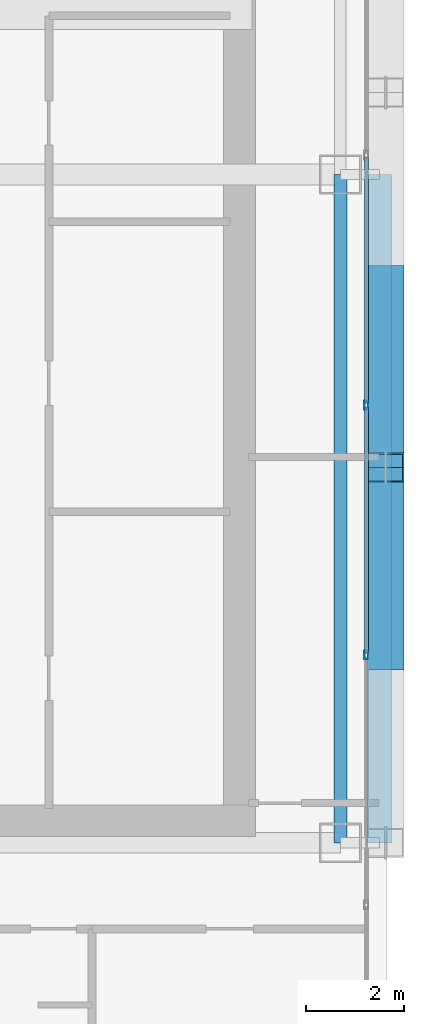
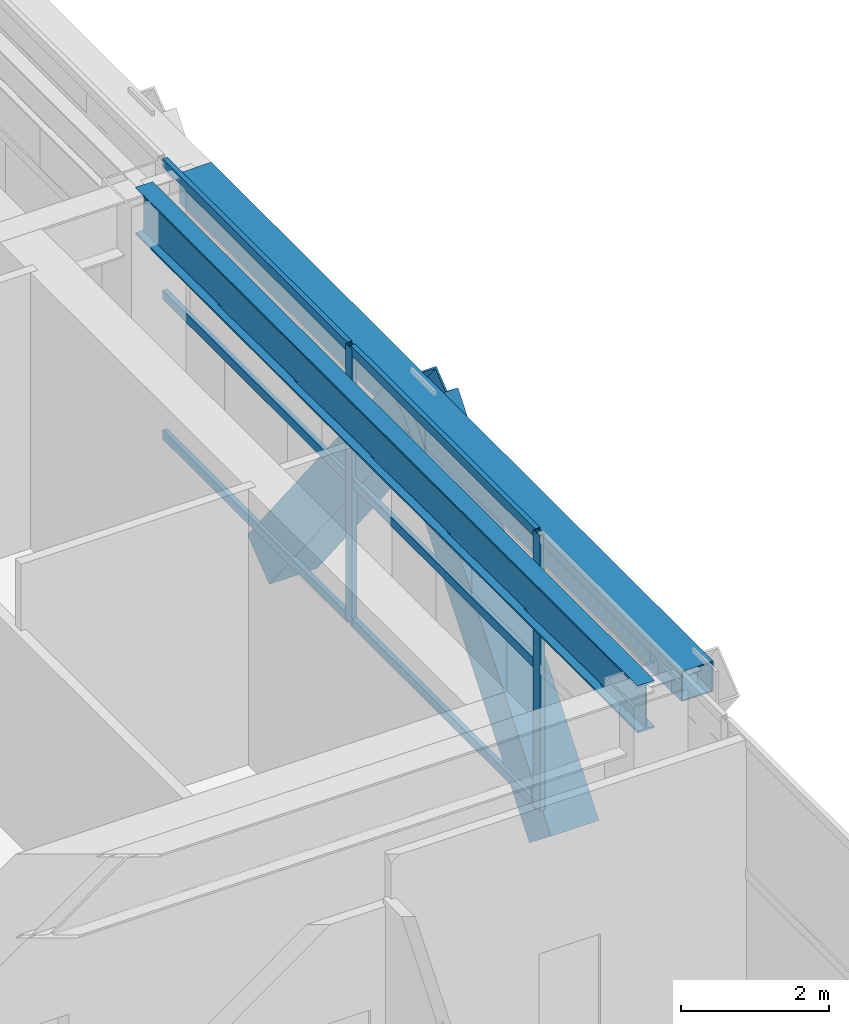
# One storey, part 14 of 38: 10 members, 2 beams, 1 element without a shape of its own.
"""IFC4 building model written with IfcOpenShell, lengths in metres."""

from ifc_helpers import new_model, si_unit, direction, frame, origin, origin_2d, place, context, subcontext, project, spatial, hollow_rectangle, i_section, extrude, source, transform, mapped, material, layer, layer_set, material_profile, profile_set, type_object, element, aggregate, save


model = new_model("IFC4")

# Units and contexts
model_context = context("Model", 3, precision=1e-05, world=origin(), true_north=direction((0.0, 1.0)))
body_context = subcontext(model_context, "Body", "Model", "MODEL_VIEW")
ifc_project = project(units=[si_unit("LENGTHUNIT", "METRE"), si_unit("AREAUNIT", "SQUARE_METRE"), si_unit("VOLUMEUNIT", "CUBIC_METRE"), si_unit("PLANEANGLEUNIT", "RADIAN"), si_unit("MASSUNIT", "GRAM", prefix="KILO")], contexts=[model_context])

# Site, building, storey
site_placement = place(None, origin())
site = spatial("IfcSite", under=ifc_project, at=site_placement, CompositionType="ELEMENT")
building_placement = place(site_placement, origin())
building = spatial("IfcBuilding", under=site, at=building_placement, Name="Ocotamira Hotel", CompositionType="ELEMENT")
storey_placement = place(building_placement, frame((0.0, 0.0, 92.39990234375)))
storey = spatial("IfcBuildingStorey", under=building, at=storey_placement, Name="L22", CompositionType="ELEMENT", Elevation=92.39990234375)

# Beams
ifc_material_1 = material(Name="Steel ASTM A992 Grade 50", Category="steel")
ifc_material_profile_1 = material_profile(ifc_material_1, i_section(OverallWidth=0.26611328125, OverallDepth=0.779052734375, WebThickness=0.0166015625, FlangeThickness=0.030029296875, FilletRadius=0.01806640625, at=origin_2d()), Name="W30X148")
ifc_profile_set_1 = profile_set([ifc_material_profile_1], Name="Steel ASTM A992 Grade 50")
beam_type_1 = type_object("IfcBeamType", Name="BM-GIRD-W30X148", PredefinedType="BEAM", material=ifc_profile_set_1)
shared_shape_1 = source(origin(), body_context, "Body", "SweptSolid", [
    extrude(i_section(OverallWidth=0.26611328125, OverallDepth=0.779052734375, WebThickness=0.0166015625, FlangeThickness=0.030029296875, FilletRadius=0.01806640625, at=origin_2d()), origin(), (0.0, 0.0, 1.0), 13.599853515625),
])
beam_1_placement = place(storey_placement, frame((55.050048828125, 14.550048828125, 4.170654296875), z_axis=(0.0, 1.0, 0.0), x_axis=(-1.0, 0.0, 0.0)))
element("IfcBeam", 1, at=beam_1_placement, inside=storey, type_object=beam_type_1, Name="L22 Beam X55.05 Y14.55-28.15", PredefinedType="BEAM", context=body_context, shape_type="MappedRepresentation", body=[
    mapped(shared_shape_1, transform((0.0, 0.0, 0.0), scale=1.0)),
])
ifc_material_2 = material(Name="Steel ASTM A500 Grade C", Category="steel")
ifc_material_profile_2 = material_profile(ifc_material_2, hollow_rectangle(XDim=0.5, YDim=0.5, WallThickness=0.02001953125, at=origin_2d()), Name="HSS500X500X20")
ifc_profile_set_2 = profile_set([ifc_material_profile_2], Name="Steel ASTM A500 Grade C")
beam_type_2 = type_object("IfcBeamType", Name="BM-SPAN-HSS500", PredefinedType="USERDEFINED", material=ifc_profile_set_2)
shared_shape_2 = source(origin(), body_context, "Body", "SweptSolid", [
    extrude(hollow_rectangle(XDim=0.5, YDim=0.5, WallThickness=0.02001953125, at=origin_2d()), origin(), (0.0, 0.0, 1.0), 13.599853515625),
])
beam_2_placement = place(storey_placement, frame((55.85009765625, 14.550048828125, 4.31005859375), z_axis=(0.0, 1.0, 0.0), x_axis=(-1.0, 0.0, 0.0)))
element("IfcBeam", 2, at=beam_2_placement, inside=storey, type_object=beam_type_2, Name="L22 Edge Spandrel E Y14.55-28.15", ObjectType="SPANDREL", PredefinedType="USERDEFINED", context=body_context, shape_type="MappedRepresentation", body=[
    mapped(shared_shape_2, transform((0.0, 0.0, 0.0), scale=1.0)),
])

# Members
ifc_material_3 = material(Name="Pale-metal coated steel ASTM A913 Grade 65", Category="steel")
ifc_material_profile_3 = material_profile(ifc_material_3, hollow_rectangle(XDim=0.75, YDim=0.75, WallThickness=0.028076171875, at=origin_2d()), Name="BOX750X750X28")
ifc_profile_set_3 = profile_set([ifc_material_profile_3], Name="Pale-metal coated steel ASTM A913 Grade 65")
member_type_1 = type_object("IfcMemberType", Name="MEM-EXO-BOX750", PredefinedType="BRACE", material=ifc_profile_set_3)
shared_shape_3 = source(origin(), body_context, "Body", "SweptSolid", [
    extrude(hollow_rectangle(XDim=0.75, YDim=0.75, WallThickness=0.028076171875, at=origin_2d()), origin(), (0.0, 0.0, 1.0), 6.16357421875),
])
for number, where, z_axis, x_axis, name in (
    (3, (55.969970703125, 18.36669921875, -0.52978515625), (0.0, 0.619216534821, 0.785220276741), (-1.0, 0.0, 0.0), "L22 Exoskeleton Diagrid E0.2"),
    (4, (55.969970703125, 26.0, -0.52978515625), (0.0, -0.619216534821, 0.785220276741), (1.0, 0.0, 0.0), "L22 Exoskeleton Diagrid E1.1"),
):
    element("IfcMember", number, at=place(storey_placement, frame(where, z_axis=z_axis, x_axis=x_axis)), inside=storey, type_object=member_type_1, Name=name, PredefinedType="BRACE", context=body_context, shape_type="MappedRepresentation", body=[
        mapped(shared_shape_3, transform((0.0, 0.0, 0.0), scale=1.0)),
    ])

# Curtain wall, members
ifc_material_4 = material(Name="Anodised pale-metal aluminium and solar glass", Category="aluminium")
ifc_layer = layer(ifc_material_4, 0.239990234375)
ifc_layer_set = layer_set([ifc_layer], Name="Anodised pale-metal aluminium and solar glass")
curtain_wall_type = type_object("IfcCurtainWallType", Name="CW-SYS5-SKY", PredefinedType="NOTDEFINED", material=ifc_layer_set)
curtain_wall_placement = place(storey_placement, origin())
curtain_wall = element("IfcCurtainWall", 5, at=curtain_wall_placement, inside=storey, type_object=curtain_wall_type, Name="L22 Curtain Wall CW-5 CW-L22-E", PredefinedType="NOTDEFINED")
ifc_material_5 = material(Name="Anodised pale-metal aluminium 6063-T6", Category="aluminium")
ifc_material_profile_4 = material_profile(ifc_material_5, hollow_rectangle(XDim=0.074951171875, YDim=0.14990234375, WallThickness=0.006103515625, at=origin_2d()), Name="HSS150X75X6")
ifc_profile_set_4 = profile_set([ifc_material_profile_4], Name="Anodised pale-metal aluminium 6063-T6")
member_type_2 = type_object("IfcMemberType", Name="CWT-150X75", PredefinedType="USERDEFINED", material=ifc_profile_set_4)
shared_shape_4 = source(origin(), body_context, "Body", "SweptSolid", [
    extrude(hollow_rectangle(XDim=0.074951171875, YDim=0.14990234375, WallThickness=0.006103515625, at=origin_2d()), origin(), (0.0, 0.0, 1.0), 5.005859375),
])
member_1_placement = place(storey_placement, frame((55.580078125, 18.411376953125, 0.03759765625), z_axis=(0.0, 1.0, 0.0), x_axis=(-1.0, 0.0, 0.0)))
member_1 = element("IfcMember", 6, at=member_1_placement, type_object=member_type_2, Name="CW-5 transom 3.1", ObjectType="TRANSOM", PredefinedType="USERDEFINED", context=body_context, shape_type="MappedRepresentation", body=[
    mapped(shared_shape_4, transform((0.0, 0.0, 0.0), scale=1.0)),
])
member_2_placement = place(storey_placement, frame((55.580078125, 18.411376953125, 2.35009765625), z_axis=(0.0, 1.0, 0.0), x_axis=(-1.0, 0.0, 0.0)))
member_2 = element("IfcMember", 7, at=member_2_placement, type_object=member_type_2, Name="CW-5 transom 3.2", ObjectType="TRANSOM", PredefinedType="USERDEFINED", context=body_context, shape_type="MappedRepresentation", body=[
    mapped(shared_shape_4, transform((0.0, 0.0, 0.0), scale=1.0)),
])
member_3_placement = place(storey_placement, frame((55.580078125, 18.411376953125, 4.522705078125), z_axis=(0.0, 1.0, 0.0), x_axis=(-1.0, 0.0, 0.0)))
member_3 = element("IfcMember", 8, at=member_3_placement, type_object=member_type_2, Name="CW-5 transom 3.3", ObjectType="TRANSOM", PredefinedType="USERDEFINED", context=body_context, shape_type="MappedRepresentation", body=[
    mapped(shared_shape_4, transform((0.0, 0.0, 0.0), scale=1.0)),
])
member_4_placement = place(storey_placement, frame((55.580078125, 23.4970703125, 0.03759765625), z_axis=(0.0, 1.0, 0.0), x_axis=(-1.0, 0.0, 0.0)))
member_4 = element("IfcMember", 9, at=member_4_placement, type_object=member_type_2, Name="CW-5 transom 4.1", ObjectType="TRANSOM", PredefinedType="USERDEFINED", context=body_context, shape_type="MappedRepresentation", body=[
    mapped(shared_shape_4, transform((0.0, 0.0, 0.0), scale=1.0)),
])
member_5_placement = place(storey_placement, frame((55.580078125, 23.4970703125, 2.35009765625), z_axis=(0.0, 1.0, 0.0), x_axis=(-1.0, 0.0, 0.0)))
member_5 = element("IfcMember", 10, at=member_5_placement, type_object=member_type_2, Name="CW-5 transom 4.2", ObjectType="TRANSOM", PredefinedType="USERDEFINED", context=body_context, shape_type="MappedRepresentation", body=[
    mapped(shared_shape_4, transform((0.0, 0.0, 0.0), scale=1.0)),
])
member_6_placement = place(storey_placement, frame((55.580078125, 23.4970703125, 4.522705078125), z_axis=(0.0, 1.0, 0.0), x_axis=(-1.0, 0.0, 0.0)))
member_6 = element("IfcMember", 11, at=member_6_placement, type_object=member_type_2, Name="CW-5 transom 4.3", ObjectType="TRANSOM", PredefinedType="USERDEFINED", context=body_context, shape_type="MappedRepresentation", body=[
    mapped(shared_shape_4, transform((0.0, 0.0, 0.0), scale=1.0)),
])
ifc_material_profile_5 = material_profile(ifc_material_5, hollow_rectangle(XDim=0.080078125, YDim=0.179931640625, WallThickness=0.006103515625, at=origin_2d()), Name="HSS180X80X6")
ifc_profile_set_5 = profile_set([ifc_material_profile_5], Name="Anodised pale-metal aluminium 6063-T6")
member_type_3 = type_object("IfcMemberType", Name="CWM-180X75", PredefinedType="MULLION", material=ifc_profile_set_5)
shared_shape_5 = source(origin(), body_context, "Body", "SweptSolid", [
    extrude(hollow_rectangle(XDim=0.080078125, YDim=0.179931640625, WallThickness=0.006103515625, at=origin_2d()), origin(), (0.0, 0.0, 1.0), 4.56005859375),
])
member_7_placement = place(storey_placement, frame((55.580078125, 18.371337890625, 0.0), z_axis=(0.0, 0.0, 1.0), x_axis=(-1.0, 0.0, 0.0)))
member_7 = element("IfcMember", 12, at=member_7_placement, type_object=member_type_3, Name="CW-5 mullion 3", PredefinedType="MULLION", context=body_context, shape_type="MappedRepresentation", body=[
    mapped(shared_shape_5, transform((0.0, 0.0, 0.0), scale=1.0)),
])
member_8_placement = place(storey_placement, frame((55.580078125, 23.45703125, 0.0), z_axis=(0.0, 0.0, 1.0), x_axis=(-1.0, 0.0, 0.0)))
member_8 = element("IfcMember", 13, at=member_8_placement, type_object=member_type_3, Name="CW-5 mullion 4", PredefinedType="MULLION", context=body_context, shape_type="MappedRepresentation", body=[
    mapped(shared_shape_5, transform((0.0, 0.0, 0.0), scale=1.0)),
])
aggregate(curtain_wall, [member_7, member_8, member_1, member_2, member_3, member_4, member_5, member_6])

save(model, "model.ifc")
